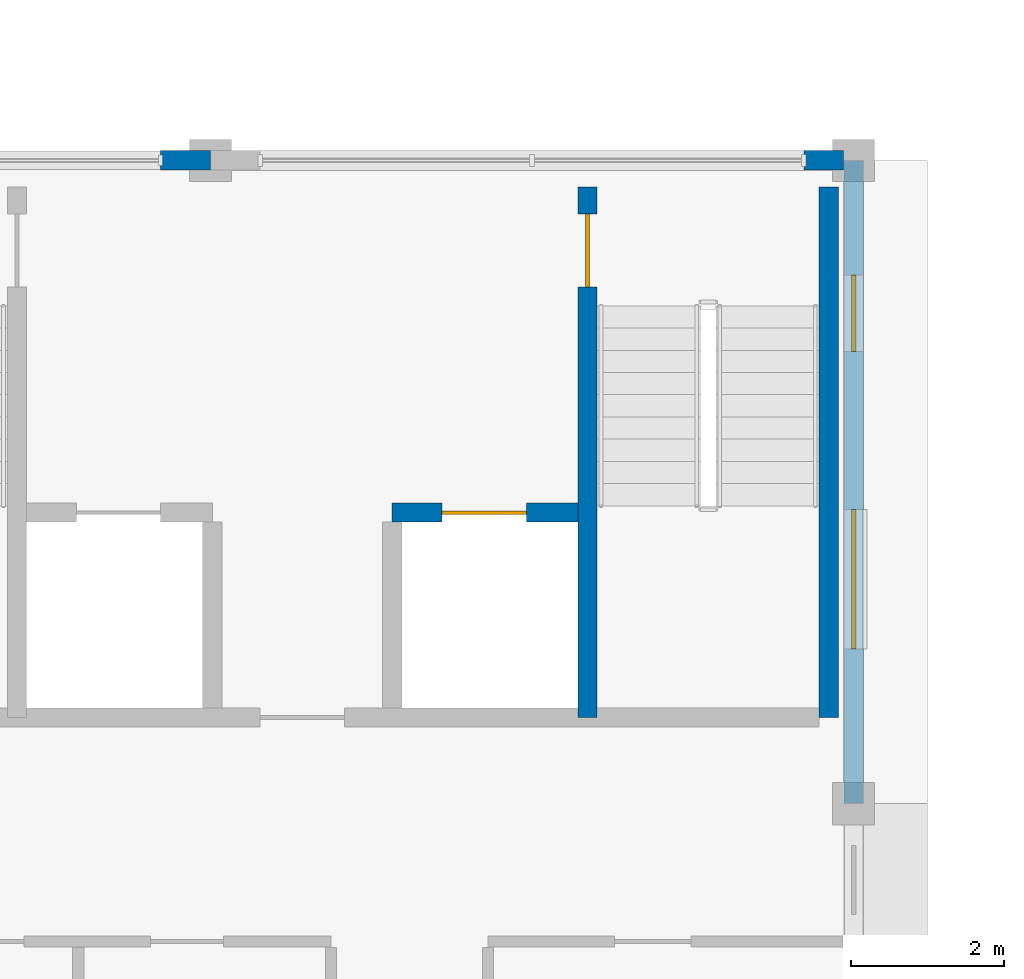
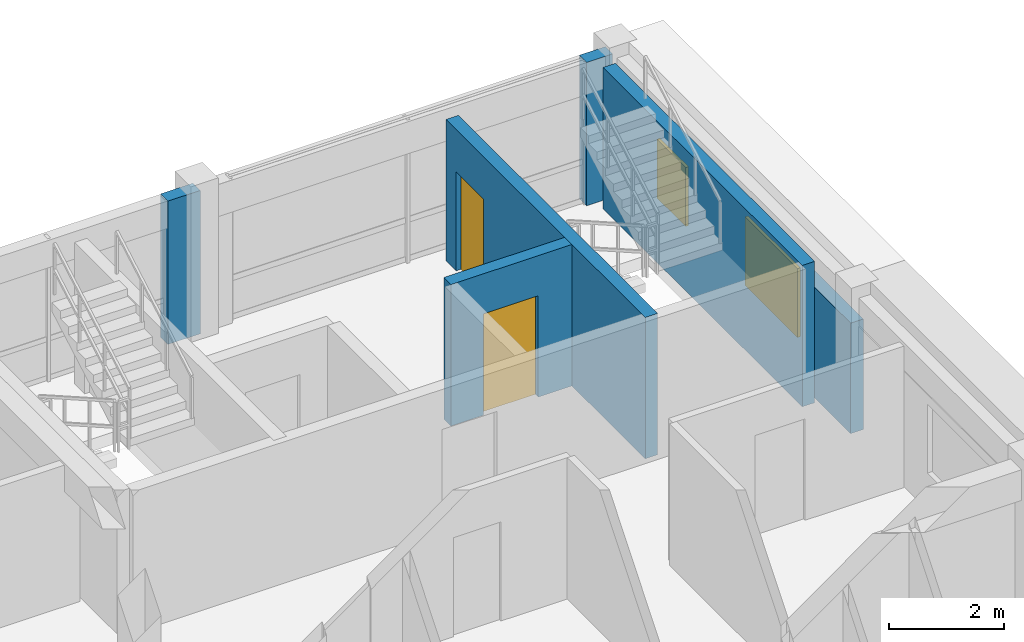
# One storey, part 27 of 45: 6 walls, 2 doors, 2 windows, 4 openings.
"""IFC4 building model written with IfcOpenShell, lengths in metres."""

from ifc_helpers import new_model, si_unit, direction, frame, frame_2d, origin, place, context, subcontext, project, spatial, rectangle, extrude, material, layer, layer_set, type_object, element, fill, save


model = new_model("IFC4")

# Units and contexts
model_context = context("Model", 3, precision=1e-05, world=origin(), true_north=direction((0.0, 1.0)))
body_context = subcontext(model_context, "Body", "Model", "MODEL_VIEW")
ifc_project = project(units=[si_unit("LENGTHUNIT", "METRE"), si_unit("AREAUNIT", "SQUARE_METRE"), si_unit("VOLUMEUNIT", "CUBIC_METRE"), si_unit("PLANEANGLEUNIT", "RADIAN"), si_unit("MASSUNIT", "GRAM", prefix="KILO"), si_unit("THERMODYNAMICTEMPERATUREUNIT", "KELVIN")], contexts=[model_context])

# Site, building, storey
site_placement = place(None, origin())
site = spatial("IfcSite", under=ifc_project, at=site_placement, CompositionType="ELEMENT")
building_placement = place(site_placement, origin())
building = spatial("IfcBuilding", under=site, at=building_placement, Name="Thalorik Housing Commons", CompositionType="ELEMENT")
storey_placement = place(building_placement, frame((0.0, 0.0, 34.5)))
storey = spatial("IfcBuildingStorey", under=building, at=storey_placement, Name="L10", CompositionType="ELEMENT", Elevation=34.5)

# Wall
ifc_material_1 = material(Name="Concrete C40/50", Category="concrete")
ifc_layer_1 = layer(ifc_material_1, 0.25, Name="Concrete C40/50", Category="concrete")
ifc_layer_set_1 = layer_set([ifc_layer_1], Name="Concrete C40/50")
wall_type_1 = type_object("IfcWallType", Name="ARC-WAL-CORE-250", PredefinedType="SHEAR", material=ifc_layer_set_1)
wall_1_placement = place(storey_placement, frame((166.47509765625, 123.25, 0.0), z_axis=(0.0, 0.0, 1.0), x_axis=(0.0, -1.0, 0.0)))
element("IfcWall", 1, at=wall_1_placement, inside=storey, type_object=wall_type_1, Name="L10 Core B Stair 2 Outer Shear Wall", PredefinedType="SHEAR", context=body_context, shape_type="SweptSolid", body=[
    extrude(rectangle(XDim=6.925048828125, YDim=0.25, at=frame_2d((3.46240234375, 0.0))), origin(), (0.0, 0.0, 1.0), 3.0),
])

# Wall, opening, door
wall_2_placement = place(storey_placement, frame((163.324951171875, 123.25, 0.0), z_axis=(0.0, 0.0, 1.0), x_axis=(0.0, -1.0, 0.0)))
wall_2 = element("IfcWall", 2, at=wall_2_placement, inside=storey, type_object=wall_type_1, Name="L10 Core B Stair 2 Shear Wall", PredefinedType="SHEAR", context=body_context, shape_type="SweptSolid", body=[
    extrude(rectangle(XDim=6.925048828125, YDim=0.25, at=frame_2d((3.46240234375, 0.0))), origin(), (0.0, 0.0, 1.0), 3.0),
])
opening_1_placement = place(wall_2_placement, frame((0.35009765625, 0.0, 0.0)))
opening_1 = element("IfcOpeningElement", 3, at=opening_1_placement, cuts=wall_2, Name="Opening ID-0226", PredefinedType="OPENING", context=body_context, shape_type="SweptSolid", body=[
    extrude(rectangle(XDim=0.949951171875, YDim=2.10009765625, at=frame_2d((0.47509765625, 1.050048828125))), frame((0.0, 0.135009765625, 0.0), z_axis=(0.0, -1.0, 0.0), x_axis=(1.0, 0.0, 0.0)), (0.0, 0.0, 1.0), 0.27001953125),
])
ifc_material_2 = material(Name="Steel S355", Category="steel")
door_type_1 = type_object("IfcDoorType", Name="ARC-DR-FD60-950", OperationType="NOTDEFINED", PredefinedType="DOOR", material=ifc_material_2)
door_1_placement = place(opening_1_placement, origin())
door_1 = element("IfcDoor", 4, at=door_1_placement, inside=storey, type_object=door_type_1, Name="L10 Stair ST-B2 Fire Door", OperationType="SINGLE_SWING_LEFT", OverallHeight=2.10009765625, OverallWidth=0.949951171875, PredefinedType="DOOR", context=body_context, shape_type="SweptSolid", body=[
    extrude(rectangle(XDim=0.949951171875, YDim=2.10009765625, at=frame_2d((0.47509765625, 1.050048828125))), frame((0.0, 0.02490234375, 0.0), z_axis=(0.0, -1.0, 0.0), x_axis=(1.0, 0.0, 0.0)), (0.0, 0.0, 1.0), 0.050048828125),
])
fill(opening_1, door_1)

wall_3_placement = place(storey_placement, frame((160.77490234375, 119.0, 0.0), z_axis=(0.0, 0.0, 1.0), x_axis=(1.0, 0.0, 0.0)))
wall_3 = element("IfcWall", 5, at=wall_3_placement, inside=storey, type_object=wall_type_1, Name="L10 Lift LP-B2 Front Shaft Wall", PredefinedType="SHEAR", context=body_context, shape_type="SweptSolid", body=[
    extrude(rectangle(XDim=2.425048828125, YDim=0.25, at=frame_2d((1.21240234375, 0.0))), origin(), (0.0, 0.0, 1.0), 3.0),
])
opening_2_placement = place(wall_3_placement, frame((0.64990234375, 0.0, 0.0)))
opening_2 = element("IfcOpeningElement", 6, at=opening_2_placement, cuts=wall_3, Name="Opening LD-LP-B2-L10", PredefinedType="OPENING", context=body_context, shape_type="SweptSolid", body=[
    extrude(rectangle(XDim=1.10009765625, YDim=2.14990234375, at=frame_2d((0.550048828125, 1.074951171875))), frame((0.0, 0.135009765625, 0.0), z_axis=(0.0, -1.0, 0.0), x_axis=(1.0, 0.0, 0.0)), (0.0, 0.0, 1.0), 0.27001953125),
])
door_type_2 = type_object("IfcDoorType", Name="ARC-DR-LIFT-1100", OperationType="NOTDEFINED", PredefinedType="DOOR", material=ifc_material_2)
door_2_placement = place(opening_2_placement, origin())
door_2 = element("IfcDoor", 7, at=door_2_placement, inside=storey, type_object=door_type_2, Name="L10 Lift LP-B2 Landing Door", OperationType="SLIDING_TO_LEFT", OverallHeight=2.14990234375, OverallWidth=1.10009765625, PredefinedType="DOOR", context=body_context, shape_type="SweptSolid", body=[
    extrude(rectangle(XDim=1.10009765625, YDim=2.14990234375, at=frame_2d((0.550048828125, 1.074951171875))), frame((0.0, 0.02490234375, 0.0), z_axis=(0.0, -1.0, 0.0), x_axis=(1.0, 0.0, 0.0)), (0.0, 0.0, 1.0), 0.050048828125),
])
fill(opening_2, door_2)

# Wall, openings, windows
ifc_material_3 = material(Name="White precast concrete C40/50", Category="concrete")
ifc_layer_2 = layer(ifc_material_3, 0.2548828125, Name="White precast concrete C40/50", Category="concrete")
ifc_layer_set_2 = layer_set([ifc_layer_2], Name="White precast concrete C40/50")
wall_type_2 = type_object("IfcWallType", Name="ARC-WAL-EXT-255", PredefinedType="STANDARD", material=ifc_layer_set_2)
wall_4_placement = place(storey_placement, frame((166.800048828125, 115.199951171875, 0.0), z_axis=(0.0, 0.0, 1.0), x_axis=(0.0, 1.0, 0.0)))
wall_4 = element("IfcWall", 8, at=wall_4_placement, inside=storey, type_object=wall_type_2, Name="L10 Exterior Wall WAL-EXT-L10-B-0744", PredefinedType="STANDARD", context=body_context, shape_type="SweptSolid", body=[
    extrude(rectangle(XDim=8.400146484375, YDim=0.2548828125, at=frame_2d((4.2001953125, 0.0))), origin(), (0.0, 0.0, 1.0), 2.344970703125),
])
opening_3_placement = place(wall_4_placement, frame((2.021240234375, 0.0, 0.780029296875)))
opening_3 = element("IfcOpeningElement", 9, at=opening_3_placement, cuts=wall_4, Name="Opening W-58", PredefinedType="OPENING", context=body_context, shape_type="SweptSolid", body=[
    extrude(rectangle(XDim=1.820068359375, YDim=1.4599609375, at=frame_2d((0.91015625, 0.72998046875))), frame((0.0, 0.137451171875, 0.0), z_axis=(0.0, -1.0, 0.0), x_axis=(1.0, 0.0, 0.0)), (0.0, 0.0, 1.0), 0.27490234375),
])
opening_4_placement = place(wall_4_placement, frame((5.90380859375, 0.0, 0.780029296875)))
opening_4 = element("IfcOpeningElement", 10, at=opening_4_placement, cuts=wall_4, Name="Opening W-02", PredefinedType="OPENING", context=body_context, shape_type="SweptSolid", body=[
    extrude(rectangle(XDim=1.0, YDim=1.25, at=frame_2d((0.5, 0.625))), frame((0.0, 0.137451171875, 0.0), z_axis=(0.0, -1.0, 0.0), x_axis=(1.0, 0.0, 0.0)), (0.0, 0.0, 1.0), 0.27490234375),
])
ifc_material_4 = material(Name="Anodised aluminium and solar-control low-E glass", Category="aluminium")
window_type_1 = type_object("IfcWindowType", Name="ARC-WIN-02", PartitioningType="SINGLE_PANEL", PredefinedType="WINDOW", material=ifc_material_4)
window_1_placement = place(opening_4_placement, origin())
window_1 = element("IfcWindow", 11, at=window_1_placement, inside=storey, type_object=window_type_1, Name="L10 Facade Window 1368", OverallHeight=1.25, OverallWidth=1.0, PartitioningType="SINGLE_PANEL", PredefinedType="WINDOW", context=body_context, shape_type="SweptSolid", body=[
    extrude(rectangle(XDim=1.0, YDim=1.25, at=frame_2d((0.5, 0.625))), frame((0.0, 0.030029296875, 0.0), z_axis=(0.0, -1.0, 0.0), x_axis=(1.0, 0.0, 0.0)), (0.0, 0.0, 1.0), 0.06005859375),
])
fill(opening_4, window_1)
window_type_2 = type_object("IfcWindowType", Name="ARC-WIN-58", PartitioningType="DOUBLE_PANEL_VERTICAL", PredefinedType="WINDOW", material=ifc_material_4)
window_2_placement = place(opening_3_placement, origin())
window_2 = element("IfcWindow", 12, at=window_2_placement, inside=storey, type_object=window_type_2, Name="L10 Facade Window 1367", OverallHeight=1.4599609375, OverallWidth=1.820068359375, PartitioningType="DOUBLE_PANEL_VERTICAL", PredefinedType="WINDOW", context=body_context, shape_type="SweptSolid", body=[
    extrude(rectangle(XDim=1.820068359375, YDim=1.4599609375, at=frame_2d((0.91015625, 0.72998046875))), frame((0.0, 0.030029296875, 0.0), z_axis=(0.0, -1.0, 0.0), x_axis=(1.0, 0.0, 0.0)), (0.0, 0.0, 1.0), 0.06005859375),
])
fill(opening_3, window_2)

# Walls
wall_5_placement = place(storey_placement, frame((166.67041015625, 123.60009765625, 0.0), z_axis=(0.0, 0.0, 1.0), x_axis=(-1.0, 0.0, 0.0)))
element("IfcWall", 13, at=wall_5_placement, inside=storey, type_object=wall_type_2, Name="L10 Exterior Wall WAL-PIERL-L10-B-0745", PredefinedType="STANDARD", context=body_context, shape_type="SweptSolid", body=[
    extrude(rectangle(XDim=0.5205078125, YDim=0.2548828125, at=frame_2d((0.26025390625, 0.0))), origin(), (0.0, 0.0, 1.0), 3.0400390625),
])
wall_6_placement = place(storey_placement, frame((158.39990234375, 123.60009765625, 0.0), z_axis=(0.0, 0.0, 1.0), x_axis=(-1.0, 0.0, 0.0)))
element("IfcWall", 14, at=wall_6_placement, inside=storey, type_object=wall_type_2, Name="L10 Exterior Wall WAL-PIERL-L10-B-0746", PredefinedType="STANDARD", context=body_context, shape_type="SweptSolid", body=[
    extrude(rectangle(XDim=0.64990234375, YDim=0.2548828125, at=frame_2d((0.324951171875, 0.0))), origin(), (0.0, 0.0, 1.0), 3.0400390625),
])

save(model, "model.ifc")
